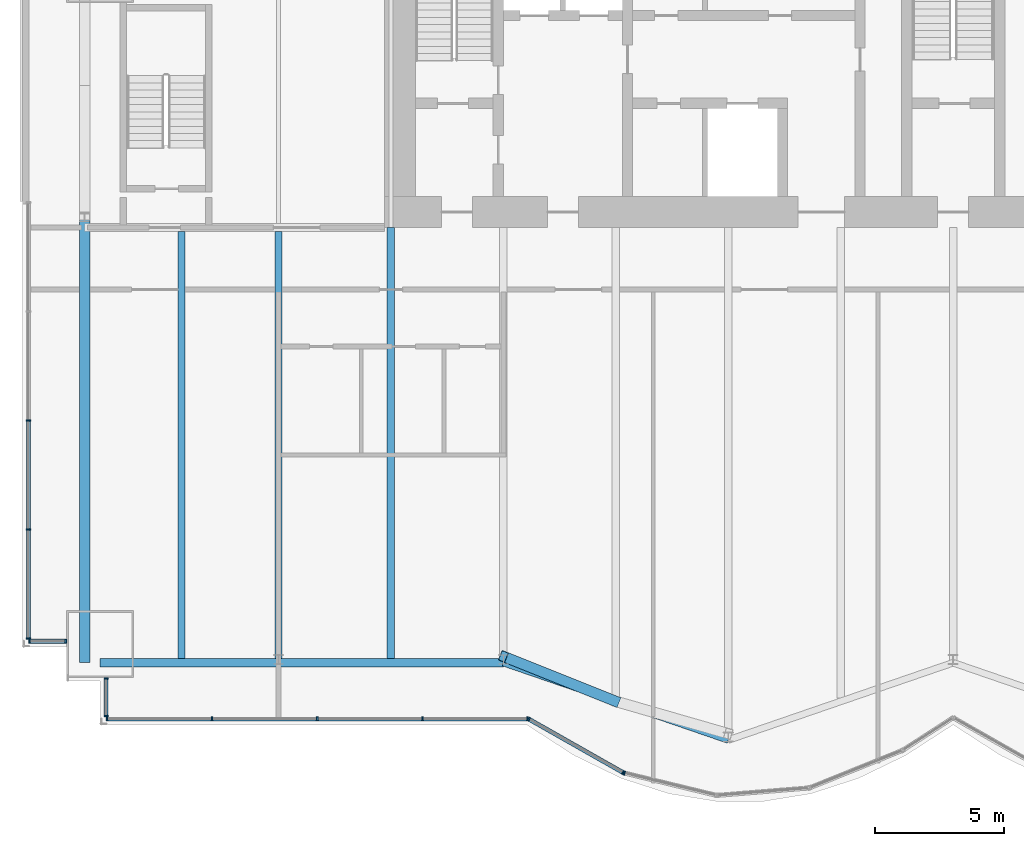
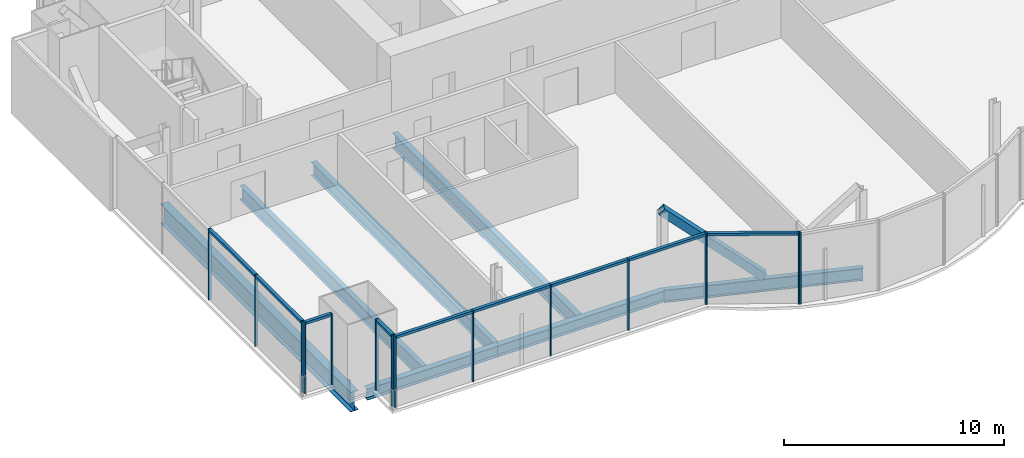
# One storey, part 5 of 20: 25 members, 7 beams, 5 elements without a shape of their own.
"""IFC4 building model written with IfcOpenShell, lengths in metres."""

from ifc_helpers import new_model, si_unit, direction, frame, origin, origin_2d, place, context, subcontext, project, spatial, rectangle, hollow_rectangle, i_section, extrude, material, material_profile, profile_set, type_object, element, aggregate, save


model = new_model("IFC4")

# Units and contexts
model_context = context("Model", 3, precision=1e-05, world=origin(), true_north=direction((0.0, 1.0)))
body_context = subcontext(model_context, "Body", "Model", "MODEL_VIEW")
ifc_project = project(units=[si_unit("LENGTHUNIT", "METRE"), si_unit("AREAUNIT", "SQUARE_METRE"), si_unit("VOLUMEUNIT", "CUBIC_METRE"), si_unit("PLANEANGLEUNIT", "RADIAN"), si_unit("MASSUNIT", "GRAM", prefix="KILO")], contexts=[model_context])

# Site, building, storey
site_placement = place(None, origin())
site = spatial("IfcSite", under=ifc_project, at=site_placement, CompositionType="ELEMENT")
building_placement = place(site_placement, origin())
building = spatial("IfcBuilding", under=site, at=building_placement, Name="Bicima Exchange Tower", CompositionType="ELEMENT")
storey_placement = place(building_placement, frame((0.0, 0.0, 207.300048828125)))
storey = spatial("IfcBuildingStorey", under=building, at=storey_placement, Name="L46", CompositionType="ELEMENT", Elevation=207.300048828125)

# Curtain wall, members
ifc_material_1 = material(Name="Anodised bronze aluminium", Category="aluminium")
curtain_wall_type_1 = type_object("IfcCurtainWallType", Name="End face glass wall", PredefinedType="NOTDEFINED", material=ifc_material_1)
curtain_wall_1_placement = place(storey_placement, origin())
curtain_wall_1 = element("IfcCurtainWall", 1, at=curtain_wall_1_placement, inside=storey, type_object=curtain_wall_type_1, Name="End face glass wall L46 run 2", PredefinedType="NOTDEFINED")
ifc_material_profile_1 = material_profile(ifc_material_1, rectangle(XDim=0.159912109375, YDim=0.06005859375, at=origin_2d()))
ifc_profile_set_1 = profile_set([ifc_material_profile_1], Name="Anodised bronze aluminium")
member_type_1 = type_object("IfcMemberType", Name="End face glass wall mullion 60 x 160", PredefinedType="MULLION", material=ifc_profile_set_1)
member_1_placement = place(storey_placement, frame((-35.77001953125, -20.465087890625, 0.0), z_axis=(0.0, 0.0, 1.0), x_axis=(1.0, 0.0, 0.0)))
member_1 = element("IfcMember", 2, at=member_1_placement, type_object=member_type_1, Name="End face glass wall mullion 3", PredefinedType="MULLION", context=body_context, shape_type="SweptSolid", body=[
    extrude(rectangle(XDim=0.159912109375, YDim=0.06005859375, at=origin_2d()), origin(), (0.0, 0.0, 1.0), 3.949951171875),
])
member_2_placement = place(storey_placement, frame((-35.77001953125, -24.6826171875, 0.0), z_axis=(0.0, 0.0, 1.0), x_axis=(1.0, 0.0, 0.0)))
member_2 = element("IfcMember", 3, at=member_2_placement, type_object=member_type_1, Name="End face glass wall mullion 4", PredefinedType="MULLION", context=body_context, shape_type="SweptSolid", body=[
    extrude(rectangle(XDim=0.159912109375, YDim=0.06005859375, at=origin_2d()), origin(), (0.0, 0.0, 1.0), 3.949951171875),
])
member_3_placement = place(storey_placement, frame((-35.77001953125, -28.89990234375, 0.0), z_axis=(0.0, 0.0, 1.0), x_axis=(1.0, 0.0, 0.0)))
member_3 = element("IfcMember", 4, at=member_3_placement, type_object=member_type_1, Name="End face glass wall mullion 5", PredefinedType="MULLION", context=body_context, shape_type="SweptSolid", body=[
    extrude(rectangle(XDim=0.159912109375, YDim=0.06005859375, at=origin_2d()), origin(), (0.0, 0.0, 1.0), 3.949951171875),
])
ifc_material_profile_2 = material_profile(ifc_material_1, rectangle(XDim=0.159912109375, YDim=0.139892578125, at=origin_2d()))
ifc_profile_set_2 = profile_set([ifc_material_profile_2], Name="Anodised bronze aluminium")
member_type_2 = type_object("IfcMemberType", Name="End face glass wall transom 140 x 160", PredefinedType="USERDEFINED", material=ifc_profile_set_2)
member_4_placement = place(storey_placement, frame((-35.77001953125, -20.4951171875, 3.8798828125), z_axis=(0.0, -1.0, 0.0), x_axis=(1.0, 0.0, 0.0)))
member_4 = element("IfcMember", 5, at=member_4_placement, type_object=member_type_2, Name="End face glass wall transom 3.1", ObjectType="TRANSOM", PredefinedType="USERDEFINED", context=body_context, shape_type="SweptSolid", body=[
    extrude(rectangle(XDim=0.159912109375, YDim=0.139892578125, at=origin_2d()), origin(), (0.0, 0.0, 1.0), 4.157470703125),
])
member_5_placement = place(storey_placement, frame((-35.77001953125, -24.71240234375, 3.8798828125), z_axis=(0.0, -1.0, 0.0), x_axis=(1.0, 0.0, 0.0)))
member_5 = element("IfcMember", 6, at=member_5_placement, type_object=member_type_2, Name="End face glass wall transom 4.1", ObjectType="TRANSOM", PredefinedType="USERDEFINED", context=body_context, shape_type="SweptSolid", body=[
    extrude(rectangle(XDim=0.159912109375, YDim=0.139892578125, at=origin_2d()), origin(), (0.0, 0.0, 1.0), 4.15771484375),
])
aggregate(curtain_wall_1, [member_1, member_2, member_3, member_4, member_5])

# Beams
ifc_material_2 = material(Name="Steel ASTM A992 Gr 50", Category="steel")
ifc_material_profile_3 = material_profile(ifc_material_2, i_section(OverallWidth=0.4013671875, OverallDepth=1.089599609375, WebThickness=0.01806640625, FlangeThickness=0.031005859375, at=origin_2d()))
ifc_profile_set_3 = profile_set([ifc_material_profile_3], Name="Steel ASTM A992 Gr 50")
beam_type_1 = type_object("IfcBeamType", Name="End girder W44x230", PredefinedType="BEAM", material=ifc_profile_set_3)
beam_1_placement = place(storey_placement, frame((-33.60009765625, -12.60009765625, -0.69482421875), z_axis=(0.0, -1.0, 0.0), x_axis=(1.0, 0.0, 0.0)))
element("IfcBeam", 7, at=beam_1_placement, inside=storey, type_object=beam_type_1, Name="End girder", PredefinedType="BEAM", context=body_context, shape_type="SweptSolid", body=[
    extrude(i_section(OverallWidth=0.4013671875, OverallDepth=1.089599609375, WebThickness=0.01806640625, FlangeThickness=0.031005859375, at=origin_2d()), origin(), (0.0, 0.0, 1.0), 17.239990234375),
])
ifc_material_profile_4 = material_profile(ifc_material_2, i_section(OverallWidth=0.2666015625, OverallDepth=0.75439453125, WebThickness=0.01318359375, FlangeThickness=0.01708984375, at=origin_2d()))
ifc_profile_set_4 = profile_set([ifc_material_profile_4], Name="Steel ASTM A992 Gr 50")
beam_type_2 = type_object("IfcBeamType", Name="Floor beam W30x99", PredefinedType="JOIST", material=ifc_profile_set_4)
for number, where, z_axis, x_axis, name in (
    (8, (-29.85009765625, -13.15234375, -0.52734375), (0.0, -1.0, 0.0), (1.0, 0.0, 0.0), "Floor beam"),
    (9, (-26.10009765625, -13.15234375, -0.52734375), (0.0, -1.0, 0.0), (1.0, 0.0, 0.0), "Floor beam"),
):
    element("IfcBeam", number, at=place(storey_placement, frame(where, z_axis=z_axis, x_axis=x_axis)), inside=storey, type_object=beam_type_2, Name=name, PredefinedType="JOIST", context=body_context, shape_type="SweptSolid", body=[
        extrude(i_section(OverallWidth=0.2666015625, OverallDepth=0.75439453125, WebThickness=0.01318359375, FlangeThickness=0.01708984375, at=origin_2d()), origin(), (0.0, 0.0, 1.0), 16.525146484375),
    ])
ifc_material_profile_5 = material_profile(ifc_material_2, i_section(OverallWidth=0.2919921875, OverallDepth=0.835693359375, WebThickness=0.013916015625, FlangeThickness=0.018798828125, at=origin_2d()))
ifc_profile_set_5 = profile_set([ifc_material_profile_5], Name="Steel ASTM A992 Gr 50")
beam_type_3 = type_object("IfcBeamType", Name="Floor beam W33x118", PredefinedType="JOIST", material=ifc_profile_set_5)
beam_2_placement = place(storey_placement, frame((-21.75, -13.0, -0.56787109375), z_axis=(0.0, -1.0, 0.0), x_axis=(1.0, 0.0, 0.0)))
element("IfcBeam", 10, at=beam_2_placement, inside=storey, type_object=beam_type_3, Name="Floor beam", PredefinedType="JOIST", context=body_context, shape_type="SweptSolid", body=[
    extrude(i_section(OverallWidth=0.2919921875, OverallDepth=0.835693359375, WebThickness=0.013916015625, FlangeThickness=0.018798828125, at=origin_2d()), origin(), (0.0, 0.0, 1.0), 16.677490234375),
])
ifc_material_profile_6 = material_profile(ifc_material_2, i_section(OverallWidth=0.3251953125, OverallDepth=0.612060546875, WebThickness=0.0126953125, FlangeThickness=0.01904296875, at=origin_2d()))
ifc_profile_set_6 = profile_set([ifc_material_profile_6], Name="Steel ASTM A992 Gr 50")
beam_type_4 = type_object("IfcBeamType", Name="Front girder W24x104", PredefinedType="BEAM", material=ifc_profile_set_6)
beam_3_placement = place(storey_placement, frame((-33.0, -29.840087890625, -0.4560546875), z_axis=(1.0, 0.0, 0.0), x_axis=(0.0, 1.0, 0.0)))
element("IfcBeam", 11, at=beam_3_placement, inside=storey, type_object=beam_type_4, Name="Front girder", PredefinedType="BEAM", context=body_context, shape_type="SweptSolid", body=[
    extrude(i_section(OverallWidth=0.3251953125, OverallDepth=0.612060546875, WebThickness=0.0126953125, FlangeThickness=0.01904296875, at=origin_2d()), origin(), (0.0, 0.0, 1.0), 6.89990234375),
])
beam_4_placement = place(storey_placement, frame((-26.10009765625, -29.840087890625, -0.4560546875), z_axis=(1.0, 0.0, 0.0), x_axis=(0.0, 1.0, 0.0)))
element("IfcBeam", 12, at=beam_4_placement, inside=storey, type_object=beam_type_4, Name="Front girder", PredefinedType="BEAM", context=body_context, shape_type="SweptSolid", body=[
    extrude(i_section(OverallWidth=0.3251953125, OverallDepth=0.612060546875, WebThickness=0.0126953125, FlangeThickness=0.01904296875, at=origin_2d()), origin(), (0.0, 0.0, 1.0), 8.7001953125),
])
ifc_material_profile_7 = material_profile(ifc_material_2, i_section(OverallWidth=0.256591796875, OverallDepth=0.693359375, WebThickness=0.014404296875, FlangeThickness=0.023681640625, at=origin_2d()))
ifc_profile_set_7 = profile_set([ifc_material_profile_7], Name="Steel ASTM A992 Gr 50")
beam_type_5 = type_object("IfcBeamType", Name="Front girder W27x114", PredefinedType="BEAM", material=ifc_profile_set_7)
beam_5_placement = place(storey_placement, frame((-17.39990234375, -29.840087890625, -0.496826171875), z_axis=(0.945674616091, -0.32511462668, 0.0), x_axis=(0.32511462668, 0.945674616091, 0.0)))
element("IfcBeam", 13, at=beam_5_placement, inside=storey, type_object=beam_type_5, Name="Front girder", PredefinedType="BEAM", context=body_context, shape_type="SweptSolid", body=[
    extrude(i_section(OverallWidth=0.256591796875, OverallDepth=0.693359375, WebThickness=0.014404296875, FlangeThickness=0.023681640625, at=origin_2d()), origin(), (0.0, 0.0, 1.0), 9.19970703125),
])

# Curtain wall, members
curtain_wall_type_2 = type_object("IfcCurtainWallType", Name="Front glass wall", PredefinedType="NOTDEFINED", material=ifc_material_1)
curtain_wall_2_placement = place(storey_placement, origin())
curtain_wall_2 = element("IfcCurtainWall", 14, at=curtain_wall_2_placement, inside=storey, type_object=curtain_wall_type_2, Name="Front glass wall L46 run 3", PredefinedType="NOTDEFINED")
member_type_3 = type_object("IfcMemberType", Name="Front glass wall mullion 60 x 160", PredefinedType="MULLION", material=ifc_profile_set_1)
member_6_placement = place(storey_placement, frame((-35.739990234375, -29.010009765625, 0.0), z_axis=(0.0, 0.0, 1.0), x_axis=(0.0, 1.0, 0.0)))
member_6 = element("IfcMember", 15, at=member_6_placement, type_object=member_type_3, Name="Front glass wall mullion 1", PredefinedType="MULLION", context=body_context, shape_type="SweptSolid", body=[
    extrude(rectangle(XDim=0.159912109375, YDim=0.06005859375, at=origin_2d()), origin(), (0.0, 0.0, 1.0), 3.949951171875),
])
member_7_placement = place(storey_placement, frame((-34.330078125, -29.010009765625, 0.0), z_axis=(0.0, 0.0, 1.0), x_axis=(0.0, 1.0, 0.0)))
member_7 = element("IfcMember", 16, at=member_7_placement, type_object=member_type_3, Name="Front glass wall mullion 2", PredefinedType="MULLION", context=body_context, shape_type="SweptSolid", body=[
    extrude(rectangle(XDim=0.159912109375, YDim=0.06005859375, at=origin_2d()), origin(), (0.0, 0.0, 1.0), 3.949951171875),
])

curtain_wall_3_placement = place(storey_placement, origin())
curtain_wall_3 = element("IfcCurtainWall", 17, at=curtain_wall_3_placement, inside=storey, type_object=curtain_wall_type_2, Name="Front glass wall L46 run 4", PredefinedType="NOTDEFINED")
member_8_placement = place(storey_placement, frame((-32.77001953125, -30.447998046875, 0.0), z_axis=(0.0, 0.0, 1.0), x_axis=(1.0, 0.0, 0.0)))
member_8 = element("IfcMember", 18, at=member_8_placement, type_object=member_type_3, Name="Front glass wall mullion 1", PredefinedType="MULLION", context=body_context, shape_type="SweptSolid", body=[
    extrude(rectangle(XDim=0.159912109375, YDim=0.06005859375, at=origin_2d()), origin(), (0.0, 0.0, 1.0), 3.949951171875),
])
member_9_placement = place(storey_placement, frame((-32.77001953125, -31.89990234375, 0.0), z_axis=(0.0, 0.0, 1.0), x_axis=(1.0, 0.0, 0.0)))
member_9 = element("IfcMember", 19, at=member_9_placement, type_object=member_type_3, Name="Front glass wall mullion 2", PredefinedType="MULLION", context=body_context, shape_type="SweptSolid", body=[
    extrude(rectangle(XDim=0.159912109375, YDim=0.06005859375, at=origin_2d()), origin(), (0.0, 0.0, 1.0), 3.949951171875),
])

curtain_wall_4_placement = place(storey_placement, origin())
curtain_wall_4 = element("IfcCurtainWall", 20, at=curtain_wall_4_placement, inside=storey, type_object=curtain_wall_type_2, Name="Front glass wall L46 run 5", PredefinedType="NOTDEFINED")
member_10_placement = place(storey_placement, frame((-32.739990234375, -32.010009765625, 0.0), z_axis=(0.0, 0.0, 1.0), x_axis=(0.0, 1.0, 0.0)))
member_10 = element("IfcMember", 21, at=member_10_placement, type_object=member_type_3, Name="Front glass wall mullion 1", PredefinedType="MULLION", context=body_context, shape_type="SweptSolid", body=[
    extrude(rectangle(XDim=0.159912109375, YDim=0.06005859375, at=origin_2d()), origin(), (0.0, 0.0, 1.0), 3.949951171875),
])
member_11_placement = place(storey_placement, frame((-28.67041015625, -32.010009765625, 0.0), z_axis=(0.0, 0.0, 1.0), x_axis=(0.0, 1.0, 0.0)))
member_11 = element("IfcMember", 22, at=member_11_placement, type_object=member_type_3, Name="Front glass wall mullion 2", PredefinedType="MULLION", context=body_context, shape_type="SweptSolid", body=[
    extrude(rectangle(XDim=0.159912109375, YDim=0.06005859375, at=origin_2d()), origin(), (0.0, 0.0, 1.0), 3.949951171875),
])
member_12_placement = place(storey_placement, frame((-24.60107421875, -32.010009765625, 0.0), z_axis=(0.0, 0.0, 1.0), x_axis=(0.0, 1.0, 0.0)))
member_12 = element("IfcMember", 23, at=member_12_placement, type_object=member_type_3, Name="Front glass wall mullion 3", PredefinedType="MULLION", context=body_context, shape_type="SweptSolid", body=[
    extrude(rectangle(XDim=0.159912109375, YDim=0.06005859375, at=origin_2d()), origin(), (0.0, 0.0, 1.0), 3.949951171875),
])
member_13_placement = place(storey_placement, frame((-20.531494140625, -32.010009765625, 0.0), z_axis=(0.0, 0.0, 1.0), x_axis=(0.0, 1.0, 0.0)))
member_13 = element("IfcMember", 24, at=member_13_placement, type_object=member_type_3, Name="Front glass wall mullion 4", PredefinedType="MULLION", context=body_context, shape_type="SweptSolid", body=[
    extrude(rectangle(XDim=0.159912109375, YDim=0.06005859375, at=origin_2d()), origin(), (0.0, 0.0, 1.0), 3.949951171875),
])
member_14_placement = place(storey_placement, frame((-16.462158203125, -32.010009765625, 0.0), z_axis=(0.0, 0.0, 1.0), x_axis=(0.0, 1.0, 0.0)))
member_14 = element("IfcMember", 25, at=member_14_placement, type_object=member_type_3, Name="Front glass wall mullion 5", PredefinedType="MULLION", context=body_context, shape_type="SweptSolid", body=[
    extrude(rectangle(XDim=0.159912109375, YDim=0.06005859375, at=origin_2d()), origin(), (0.0, 0.0, 1.0), 3.949951171875),
])

curtain_wall_5_placement = place(storey_placement, origin())
curtain_wall_5 = element("IfcCurtainWall", 26, at=curtain_wall_5_placement, inside=storey, type_object=curtain_wall_type_2, Name="Front glass wall L46 run 6", PredefinedType="NOTDEFINED")
member_15_placement = place(storey_placement, frame((-16.406005859375, -32.02490234375, 0.0), z_axis=(0.0, 0.0, 1.0), x_axis=(0.493395449343, 0.869805110681, 0.0)))
member_15 = element("IfcMember", 27, at=member_15_placement, type_object=member_type_3, Name="Front glass wall mullion 1", PredefinedType="MULLION", context=body_context, shape_type="SweptSolid", body=[
    extrude(rectangle(XDim=0.159912109375, YDim=0.06005859375, at=origin_2d()), origin(), (0.0, 0.0, 1.0), 3.949951171875),
])
member_16_placement = place(storey_placement, frame((-12.7734375, -34.08544921875, 0.0), z_axis=(0.0, 0.0, 1.0), x_axis=(0.493395449343, 0.869805110681, 0.0)))
member_16 = element("IfcMember", 28, at=member_16_placement, type_object=member_type_3, Name="Front glass wall mullion 2", PredefinedType="MULLION", context=body_context, shape_type="SweptSolid", body=[
    extrude(rectangle(XDim=0.159912109375, YDim=0.06005859375, at=origin_2d()), origin(), (0.0, 0.0, 1.0), 3.949951171875),
])
member_17_placement = place(storey_placement, frame((-12.718017578125, -34.107421875, 0.0), z_axis=(0.0, 0.0, 1.0), x_axis=(0.235681529503, 0.971830343553, 0.0)))
member_17 = element("IfcMember", 29, at=member_17_placement, type_object=member_type_3, Name="Front glass wall mullion 1", PredefinedType="MULLION", context=body_context, shape_type="SweptSolid", body=[
    extrude(rectangle(XDim=0.159912109375, YDim=0.06005859375, at=origin_2d()), origin(), (0.0, 0.0, 1.0), 3.949951171875),
])

# Member
member_type_4 = type_object("IfcMemberType", Name="Front glass wall transom 140 x 160", PredefinedType="USERDEFINED", material=ifc_profile_set_2)
member_18_placement = place(storey_placement, frame((-35.7099609375, -29.010009765625, 3.8798828125), z_axis=(1.0, 0.0, 0.0), x_axis=(0.0, 1.0, 0.0)))
member_18 = element("IfcMember", 30, at=member_18_placement, type_object=member_type_4, Name="Front glass wall transom 1.1", ObjectType="TRANSOM", PredefinedType="USERDEFINED", context=body_context, shape_type="SweptSolid", body=[
    extrude(rectangle(XDim=0.159912109375, YDim=0.139892578125, at=origin_2d()), origin(), (0.0, 0.0, 1.0), 1.349853515625),
])

aggregate(curtain_wall_2, [member_6, member_7, member_18])

member_19_placement = place(storey_placement, frame((-32.77001953125, -30.47802734375, 3.8798828125), z_axis=(0.0, -1.0, 0.0), x_axis=(1.0, 0.0, 0.0)))
member_19 = element("IfcMember", 31, at=member_19_placement, type_object=member_type_4, Name="Front glass wall transom 1.1", ObjectType="TRANSOM", PredefinedType="USERDEFINED", context=body_context, shape_type="SweptSolid", body=[
    extrude(rectangle(XDim=0.159912109375, YDim=0.139892578125, at=origin_2d()), origin(), (0.0, 0.0, 1.0), 1.39208984375),
])

aggregate(curtain_wall_3, [member_8, member_9, member_19])

member_20_placement = place(storey_placement, frame((-32.7099609375, -32.010009765625, 3.8798828125), z_axis=(1.0, 0.0, 0.0), x_axis=(0.0, 1.0, 0.0)))
member_20 = element("IfcMember", 32, at=member_20_placement, type_object=member_type_4, Name="Front glass wall transom 1.1", ObjectType="TRANSOM", PredefinedType="USERDEFINED", context=body_context, shape_type="SweptSolid", body=[
    extrude(rectangle(XDim=0.159912109375, YDim=0.139892578125, at=origin_2d()), origin(), (0.0, 0.0, 1.0), 4.009521484375),
])

member_21_placement = place(storey_placement, frame((-28.640380859375, -32.010009765625, 3.8798828125), z_axis=(1.0, 0.0, 0.0), x_axis=(0.0, 1.0, 0.0)))
member_21 = element("IfcMember", 33, at=member_21_placement, type_object=member_type_4, Name="Front glass wall transom 2.1", ObjectType="TRANSOM", PredefinedType="USERDEFINED", context=body_context, shape_type="SweptSolid", body=[
    extrude(rectangle(XDim=0.159912109375, YDim=0.139892578125, at=origin_2d()), origin(), (0.0, 0.0, 1.0), 4.00927734375),
])

member_22_placement = place(storey_placement, frame((-24.571044921875, -32.010009765625, 3.8798828125), z_axis=(1.0, 0.0, 0.0), x_axis=(0.0, 1.0, 0.0)))
member_22 = element("IfcMember", 34, at=member_22_placement, type_object=member_type_4, Name="Front glass wall transom 3.1", ObjectType="TRANSOM", PredefinedType="USERDEFINED", context=body_context, shape_type="SweptSolid", body=[
    extrude(rectangle(XDim=0.159912109375, YDim=0.139892578125, at=origin_2d()), origin(), (0.0, 0.0, 1.0), 4.009521484375),
])

member_23_placement = place(storey_placement, frame((-20.501708984375, -32.010009765625, 3.8798828125), z_axis=(1.0, 0.0, 0.0), x_axis=(0.0, 1.0, 0.0)))
member_23 = element("IfcMember", 35, at=member_23_placement, type_object=member_type_4, Name="Front glass wall transom 4.1", ObjectType="TRANSOM", PredefinedType="USERDEFINED", context=body_context, shape_type="SweptSolid", body=[
    extrude(rectangle(XDim=0.159912109375, YDim=0.139892578125, at=origin_2d()), origin(), (0.0, 0.0, 1.0), 4.009521484375),
])

aggregate(curtain_wall_4, [member_10, member_11, member_12, member_13, member_14, member_20, member_21, member_22, member_23])

member_24_placement = place(storey_placement, frame((-16.3798828125, -32.03955078125, 3.8798828125), z_axis=(0.869797371721, -0.49340909208, 0.0), x_axis=(0.49340909208, 0.869797371721, 0.0)))
member_24 = element("IfcMember", 36, at=member_24_placement, type_object=member_type_4, Name="Front glass wall transom 1.1", ObjectType="TRANSOM", PredefinedType="USERDEFINED", context=body_context, shape_type="SweptSolid", body=[
    extrude(rectangle(XDim=0.159912109375, YDim=0.139892578125, at=origin_2d()), origin(), (0.0, 0.0, 1.0), 4.1162109375),
])

aggregate(curtain_wall_5, [member_15, member_16, member_24, member_17])

ifc_material_3 = material(Name="Steel ASTM A572 Gr 50", Category="steel")
ifc_material_profile_8 = material_profile(ifc_material_3, hollow_rectangle(XDim=0.406494140625, YDim=0.406494140625, WallThickness=0.0146484375, at=origin_2d()))
ifc_profile_set_8 = profile_set([ifc_material_profile_8], Name="Steel ASTM A572 Gr 50")
member_type_5 = type_object("IfcMemberType", Name="Mega brace HSS16x16x5/8", PredefinedType="BRACE", material=ifc_profile_set_8)
member_25_placement = place(storey_placement, frame((-13.050048828125, -31.33544921875, 0.0), z_axis=(-0.69872416977, 0.279419077825, 0.658566255988), x_axis=(-0.371309808925, -0.928509033772, 0.0)))
element("IfcMember", 37, at=member_25_placement, inside=storey, type_object=member_type_5, Name="Mega brace front", PredefinedType="BRACE", context=body_context, shape_type="SweptSolid", body=[
    extrude(hollow_rectangle(XDim=0.406494140625, YDim=0.406494140625, WallThickness=0.0146484375, at=origin_2d()), origin(), (0.0, 0.0, 1.0), 6.225341796875),
])

save(model, "model.ifc")
